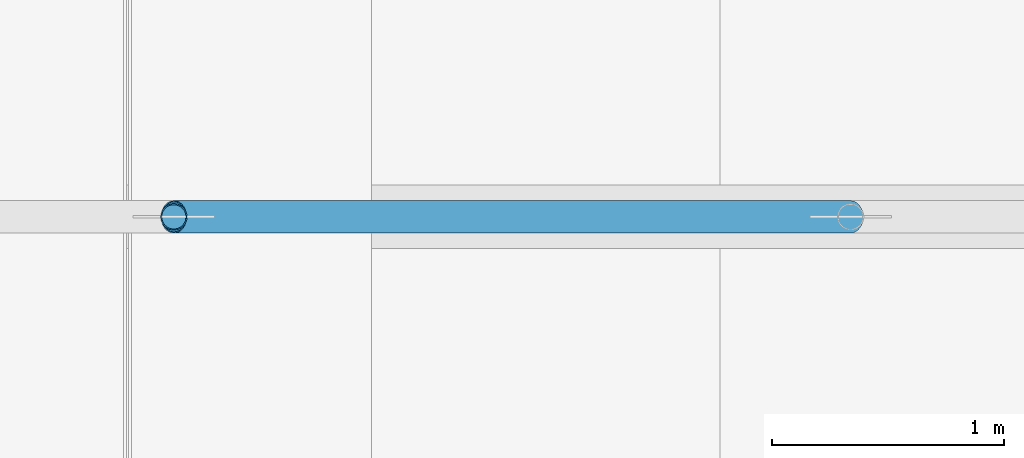
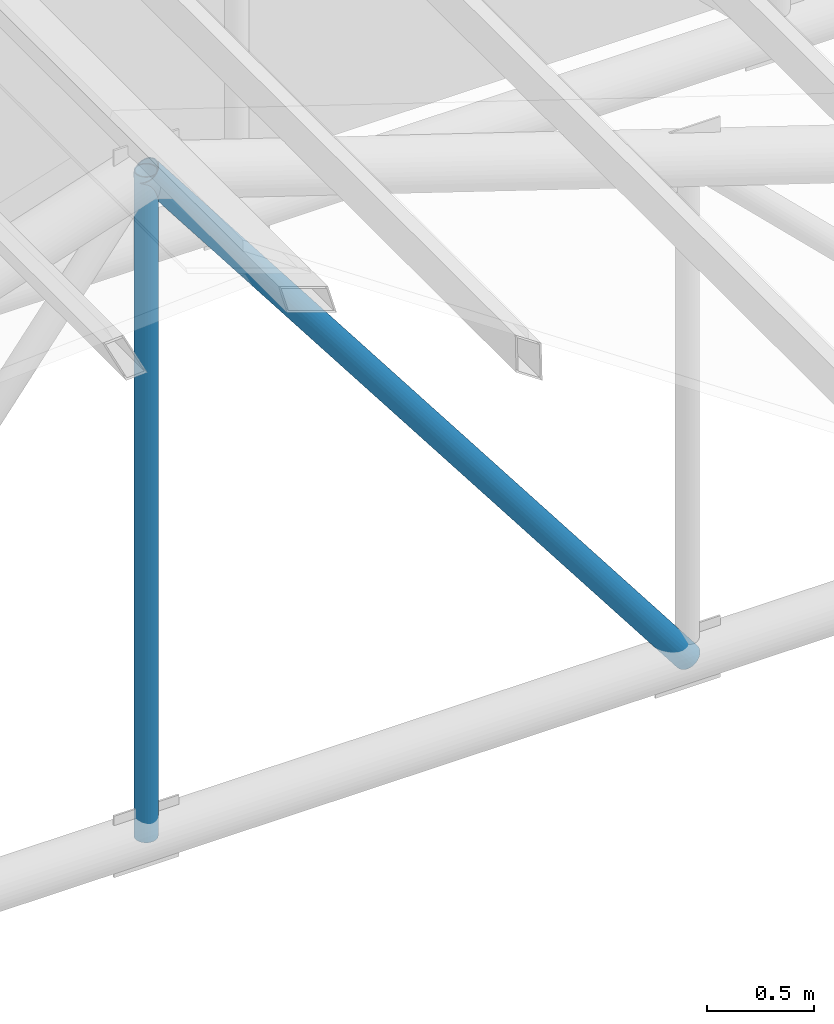
# One storey, part 52 of 95: 2 members.
"""IFC4 building model written with IfcOpenShell, lengths in metres."""

from ifc_helpers import new_model, si_unit, direction, frame, origin, origin_2d, place, context, subcontext, project, spatial, hollow_circle, extrude, material, material_profile, profile_set, type_object, element, save


model = new_model("IFC4")

# Units and contexts
model_context = context("Model", 3, precision=1e-05, world=origin(), true_north=direction((0.0, 1.0)))
body_context = subcontext(model_context, "Body", "Model", "MODEL_VIEW")
ifc_project = project(units=[si_unit("LENGTHUNIT", "METRE"), si_unit("AREAUNIT", "SQUARE_METRE"), si_unit("VOLUMEUNIT", "CUBIC_METRE"), si_unit("PLANEANGLEUNIT", "RADIAN"), si_unit("MASSUNIT", "GRAM", prefix="KILO")], contexts=[model_context])

# Site, building, storey
site_placement = place(None, origin())
site = spatial("IfcSite", under=ifc_project, at=site_placement, CompositionType="ELEMENT")
building_placement = place(site_placement, origin())
building = spatial("IfcBuilding", under=site, at=building_placement, Name="Kiln Court Media Centre", CompositionType="ELEMENT")
storey_placement = place(building_placement, frame((0.0, 0.0, 24.60009765625)))
storey = spatial("IfcBuildingStorey", under=building, at=storey_placement, Name="L05", CompositionType="ELEMENT", Elevation=24.60009765625)

# Members
ifc_material_1 = material(Name="Steel ASTM A500 Gr C", Category="steel")
ifc_material_profile_1 = material_profile(ifc_material_1, hollow_circle(Radius=0.05712890625, WallThickness=0.0048828125, at=origin_2d()), Name="CHS 114.3x5.0")
ifc_profile_set_1 = profile_set([ifc_material_profile_1], Name="Steel ASTM A500 Gr C")
member_type_1 = type_object("IfcMemberType", Name="Steel ASTM A500 Gr C CHS 114.3x5.0 truss web", PredefinedType="BRACE", material=ifc_profile_set_1)
member_1_placement = place(storey_placement, frame((46.39990234375, 63.0, -0.013916015625), z_axis=(0.0, 0.0, 1.0), x_axis=(1.0, 0.0, 0.0)))
element("IfcMember", 1, at=member_1_placement, inside=storey, type_object=member_type_1, Name="foyer truss FT-10 post 4 truss web", PredefinedType="BRACE", context=body_context, shape_type="SweptSolid", body=[
    extrude(hollow_circle(Radius=0.05712890625, WallThickness=0.0048828125, at=origin_2d()), origin(), (0.0, 0.0, 1.0), 3.785400390625),
])
ifc_material_2 = material(Name="Steel ASTM A500 Gr C", Category="steel")
ifc_material_profile_2 = material_profile(ifc_material_2, hollow_circle(Radius=0.06982421875, WallThickness=0.0048828125, at=origin_2d()), Name="CHS 139.7x5.0")
ifc_profile_set_2 = profile_set([ifc_material_profile_2], Name="Steel ASTM A500 Gr C")
member_type_2 = type_object("IfcMemberType", Name="Steel ASTM A500 Gr C CHS 139.7x5.0 truss web", PredefinedType="BRACE", material=ifc_profile_set_2)
member_2_placement = place(storey_placement, frame((46.39990234375, 63.0, 3.771484375), z_axis=(0.609809567012, 0.0, -0.792547974561), x_axis=(0.0, 1.0, 0.0)))
element("IfcMember", 2, at=member_2_placement, inside=storey, type_object=member_type_2, Name="foyer truss FT-10 diagonal 5 truss web", PredefinedType="BRACE", context=body_context, shape_type="SweptSolid", body=[
    extrude(hollow_circle(Radius=0.06982421875, WallThickness=0.0048828125, at=origin_2d()), origin(), (0.0, 0.0, 1.0), 4.776123046875),
])

save(model, "model.ifc")
